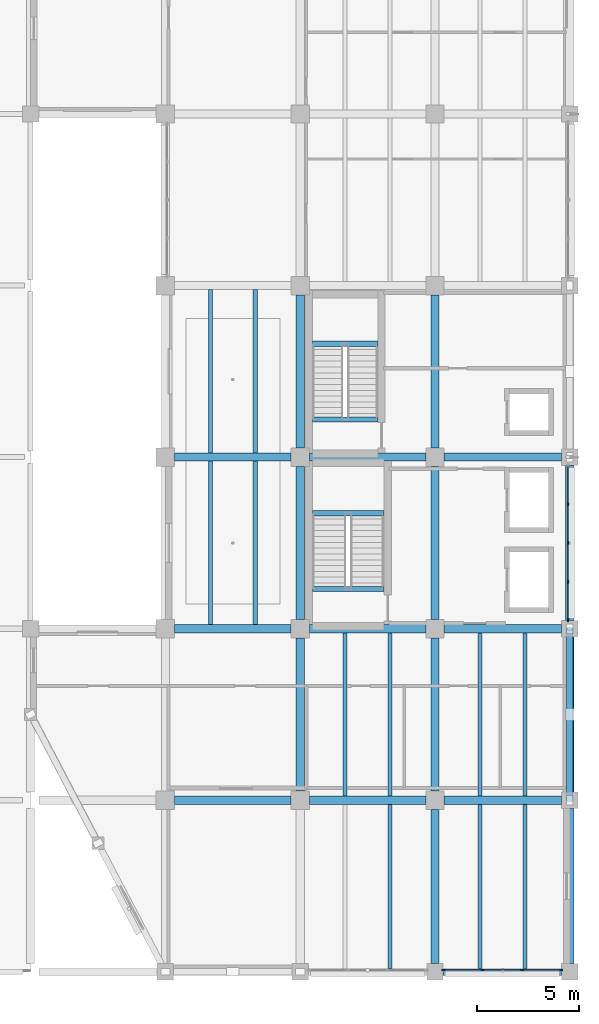
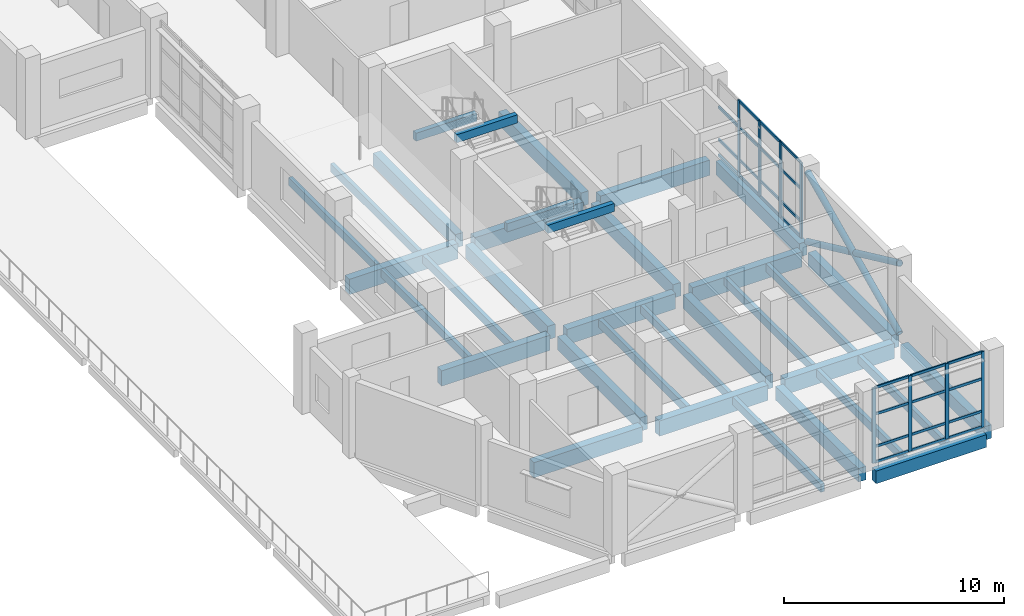
# One storey, part 21 of 83: 38 members, 35 beams, 2 elements without a shape of their own.
"""IFC4 building model written with IfcOpenShell, lengths in metres."""

from ifc_helpers import new_model, si_unit, direction, frame, origin, origin_2d, place, context, subcontext, project, spatial, rectangle, hollow_circle, extrude, material, material_profile, profile_set, type_object, element, aggregate, save


model = new_model("IFC4")

# Units and contexts
model_context = context("Model", 3, precision=1e-05, world=origin(), true_north=direction((0.0, 1.0)))
body_context = subcontext(model_context, "Body", "Model", "MODEL_VIEW")
ifc_project = project(units=[si_unit("LENGTHUNIT", "METRE"), si_unit("AREAUNIT", "SQUARE_METRE"), si_unit("VOLUMEUNIT", "CUBIC_METRE"), si_unit("PLANEANGLEUNIT", "RADIAN"), si_unit("MASSUNIT", "GRAM", prefix="KILO")], contexts=[model_context])

# Site, building, storey
site_placement = place(None, origin())
site = spatial("IfcSite", under=ifc_project, at=site_placement, CompositionType="ELEMENT")
building_placement = place(site_placement, origin())
building = spatial("IfcBuilding", under=site, at=building_placement, Name="Qaldarim Faculty of Natural and Applied Sciences", CompositionType="ELEMENT")
storey_placement = place(building_placement, frame((0.0, 0.0, 5.39990234375)))
storey = spatial("IfcBuildingStorey", under=building, at=storey_placement, Name="L01", CompositionType="ELEMENT", Elevation=5.39990234375)

# Beams
ifc_material_1 = material(Name="Concrete C50/60", Category="concrete")
ifc_material_profile_1 = material_profile(ifc_material_1, rectangle(XDim=0.39990234375, YDim=0.75, at=origin_2d()), Name="RC-B400x750")
ifc_profile_set_1 = profile_set([ifc_material_profile_1], Name="Concrete C50/60")
beam_type_1 = type_object("IfcBeamType", Name="LabGirder-RC400x750", PredefinedType="BEAM", material=ifc_profile_set_1)
for number, where, z_axis, x_axis, name in (
    (1, (165.0, 8.85009765625, -0.6748046875), (0.0, 1.0, 0.0), (-1.0, 0.0, 0.0), "Beam RC-B400x750 L00 X26/Y02-Y03"),
    (2, (165.0, 17.25, -0.6748046875), (0.0, 1.0, 0.0), (-1.0, 0.0, 0.0), "Beam RC-B400x750 L00 X26/Y03-Y04"),
    (3, (165.0, 25.64990234375, -0.6748046875), (0.0, 1.0, 0.0), (-1.0, 0.0, 0.0), "Beam RC-B400x750 L00 X26/Y04-Y05"),
):
    element("IfcBeam", number, at=place(storey_placement, frame(where, z_axis=z_axis, x_axis=x_axis)), inside=storey, type_object=beam_type_1, Name=name, PredefinedType="BEAM", context=body_context, shape_type="SweptSolid", body=[
        extrude(rectangle(XDim=0.39990234375, YDim=0.75, at=origin_2d()), origin(), (0.0, 0.0, 1.0), 7.5),
    ])
beam_1_placement = place(storey_placement, frame((171.60009765625, 0.39990234375, -0.6748046875), z_axis=(0.0, 1.0, 0.0), x_axis=(-1.0, 0.0, 0.0)))
element("IfcBeam", 4, at=beam_1_placement, inside=storey, type_object=beam_type_1, Name="Beam RC-B400x750 L00 X27/Y01-Y02", PredefinedType="BEAM", context=body_context, shape_type="SweptSolid", body=[
    extrude(rectangle(XDim=0.39990234375, YDim=0.75, at=origin_2d()), origin(), (0.0, 0.0, 1.0), 7.550048828125),
])
for number, where, z_axis, x_axis, name in (
    (5, (171.60009765625, 8.85009765625, -0.6748046875), (0.0, 1.0, 0.0), (-1.0, 0.0, 0.0), "Beam RC-B400x750 L00 X27/Y02-Y03"),
    (6, (171.60009765625, 17.25, -0.6748046875), (0.0, 1.0, 0.0), (-1.0, 0.0, 0.0), "Beam RC-B400x750 L00 X27/Y03-Y04"),
    (7, (171.60009765625, 25.64990234375, -0.6748046875), (0.0, 1.0, 0.0), (-1.0, 0.0, 0.0), "Beam RC-B400x750 L00 X27/Y04-Y05"),
):
    element("IfcBeam", number, at=place(storey_placement, frame(where, z_axis=z_axis, x_axis=x_axis)), inside=storey, type_object=beam_type_1, Name=name, PredefinedType="BEAM", context=body_context, shape_type="SweptSolid", body=[
        extrude(rectangle(XDim=0.39990234375, YDim=0.75, at=origin_2d()), origin(), (0.0, 0.0, 1.0), 7.5),
    ])
beam_2_placement = place(storey_placement, frame((178.199951171875, 0.39990234375, -0.6748046875), z_axis=(0.0, 1.0, 0.0), x_axis=(-1.0, 0.0, 0.0)))
element("IfcBeam", 8, at=beam_2_placement, inside=storey, type_object=beam_type_1, Name="Beam RC-B400x750 L00 X28/Y01-Y02", PredefinedType="BEAM", context=body_context, shape_type="SweptSolid", body=[
    extrude(rectangle(XDim=0.39990234375, YDim=0.75, at=origin_2d()), origin(), (0.0, 0.0, 1.0), 7.60009765625),
])
beam_3_placement = place(storey_placement, frame((178.199951171875, 8.800048828125, -0.6748046875), z_axis=(0.0, 1.0, 0.0), x_axis=(-1.0, 0.0, 0.0)))
element("IfcBeam", 9, at=beam_3_placement, inside=storey, type_object=beam_type_1, Name="Beam RC-B400x750 L00 X28/Y02-Y03", PredefinedType="BEAM", context=body_context, shape_type="SweptSolid", body=[
    extrude(rectangle(XDim=0.39990234375, YDim=0.75, at=origin_2d()), origin(), (0.0, 0.0, 1.0), 7.599853515625),
])
beam_4_placement = place(storey_placement, frame((178.199951171875, 17.199951171875, -0.6748046875), z_axis=(0.0, 1.0, 0.0), x_axis=(-1.0, 0.0, 0.0)))
element("IfcBeam", 10, at=beam_4_placement, inside=storey, type_object=beam_type_1, Name="Beam RC-B400x750 L00 X28/Y03-Y04", PredefinedType="BEAM", context=body_context, shape_type="SweptSolid", body=[
    extrude(rectangle(XDim=0.39990234375, YDim=0.75, at=origin_2d()), origin(), (0.0, 0.0, 1.0), 7.60009765625),
])
ifc_material_2 = material(Name="Concrete C40/50", Category="concrete")
ifc_material_profile_2 = material_profile(ifc_material_2, rectangle(XDim=0.199951171875, YDim=0.449951171875, at=origin_2d()), Name="RC-J200x450")
ifc_profile_set_2 = profile_set([ifc_material_profile_2], Name="Concrete C40/50")
beam_type_2 = type_object("IfcBeamType", Name="LabJoist-RC200x450", PredefinedType="JOIST", material=ifc_profile_set_2)
for number, where, z_axis, x_axis, name in (
    (11, (160.60009765625, 17.0, -0.52490234375), (0.0, 1.0, 0.0), (-1.0, 0.0, 0.0), "Laboratory joist L00 bay X25Y03-1"),
    (12, (162.800048828125, 17.0, -0.52490234375), (0.0, 1.0, 0.0), (-1.0, 0.0, 0.0), "Laboratory joist L00 bay X25Y03-2"),
    (13, (160.60009765625, 25.39990234375, -0.52490234375), (0.0, 1.0, 0.0), (-1.0, 0.0, 0.0), "Laboratory joist L00 bay X25Y04-1"),
    (14, (162.800048828125, 25.39990234375, -0.52490234375), (0.0, 1.0, 0.0), (-1.0, 0.0, 0.0), "Laboratory joist L00 bay X25Y04-2"),
):
    element("IfcBeam", number, at=place(storey_placement, frame(where, z_axis=z_axis, x_axis=x_axis)), inside=storey, type_object=beam_type_2, Name=name, PredefinedType="JOIST", context=body_context, shape_type="SweptSolid", body=[
        extrude(rectangle(XDim=0.199951171875, YDim=0.449951171875, at=origin_2d()), origin(), (0.0, 0.0, 1.0), 8.0),
    ])
beam_5_placement = place(storey_placement, frame((169.39990234375, 0.175048828125, -0.52490234375), z_axis=(0.0, 1.0, 0.0), x_axis=(-1.0, 0.0, 0.0)))
element("IfcBeam", 15, at=beam_5_placement, inside=storey, type_object=beam_type_2, Name="Laboratory joist L00 bay X26Y01-2", PredefinedType="JOIST", context=body_context, shape_type="SweptSolid", body=[
    extrude(rectangle(XDim=0.199951171875, YDim=0.449951171875, at=origin_2d()), origin(), (0.0, 0.0, 1.0), 8.02490234375),
])
for number, where, z_axis, x_axis, name in (
    (16, (167.199951171875, 8.60009765625, -0.52490234375), (0.0, 1.0, 0.0), (-1.0, 0.0, 0.0), "Laboratory joist L00 bay X26Y02-1"),
    (17, (169.39990234375, 8.60009765625, -0.52490234375), (0.0, 1.0, 0.0), (-1.0, 0.0, 0.0), "Laboratory joist L00 bay X26Y02-2"),
):
    element("IfcBeam", number, at=place(storey_placement, frame(where, z_axis=z_axis, x_axis=x_axis)), inside=storey, type_object=beam_type_2, Name=name, PredefinedType="JOIST", context=body_context, shape_type="SweptSolid", body=[
        extrude(rectangle(XDim=0.199951171875, YDim=0.449951171875, at=origin_2d()), origin(), (0.0, 0.0, 1.0), 8.0),
    ])
for number, where, z_axis, x_axis, name in (
    (18, (173.800048828125, 0.175048828125, -0.52490234375), (0.0, 1.0, 0.0), (-1.0, 0.0, 0.0), "Laboratory joist L00 bay X27Y01-1"),
    (19, (176.0, 0.175048828125, -0.52490234375), (0.0, 1.0, 0.0), (-1.0, 0.0, 0.0), "Laboratory joist L00 bay X27Y01-2"),
):
    element("IfcBeam", number, at=place(storey_placement, frame(where, z_axis=z_axis, x_axis=x_axis)), inside=storey, type_object=beam_type_2, Name=name, PredefinedType="JOIST", context=body_context, shape_type="SweptSolid", body=[
        extrude(rectangle(XDim=0.199951171875, YDim=0.449951171875, at=origin_2d()), origin(), (0.0, 0.0, 1.0), 8.02490234375),
    ])
for number, where, z_axis, x_axis, name in (
    (20, (173.800048828125, 8.60009765625, -0.52490234375), (0.0, 1.0, 0.0), (-1.0, 0.0, 0.0), "Laboratory joist L00 bay X27Y02-1"),
    (21, (176.0, 8.60009765625, -0.52490234375), (0.0, 1.0, 0.0), (-1.0, 0.0, 0.0), "Laboratory joist L00 bay X27Y02-2"),
):
    element("IfcBeam", number, at=place(storey_placement, frame(where, z_axis=z_axis, x_axis=x_axis)), inside=storey, type_object=beam_type_2, Name=name, PredefinedType="JOIST", context=body_context, shape_type="SweptSolid", body=[
        extrude(rectangle(XDim=0.199951171875, YDim=0.449951171875, at=origin_2d()), origin(), (0.0, 0.0, 1.0), 8.0),
    ])
ifc_material_profile_3 = material_profile(ifc_material_2, rectangle(XDim=0.25, YDim=0.449951171875, at=origin_2d()), Name="RC-LN250x450")
ifc_profile_set_3 = profile_set([ifc_material_profile_3], Name="Concrete C40/50")
beam_type_3 = type_object("IfcBeamType", Name="LandingSupportBeam-RC250x450", PredefinedType="BEAM", material=ifc_profile_set_3)
for number, where, z_axis, x_axis, name in (
    (22, (165.60009765625, 22.455078125, 1.815185546875), (1.0, 0.0, 0.0), (0.0, 1.0, 0.0), "Stair landing support beam ST-A1 L01"),
    (23, (165.60009765625, 18.75, 3.97509765625), (1.0, 0.0, 0.0), (0.0, 1.0, 0.0), "Stair arrival support beam ST-A1 L01"),
):
    element("IfcBeam", number, at=place(storey_placement, frame(where, z_axis=z_axis, x_axis=x_axis)), inside=storey, type_object=beam_type_3, Name=name, PredefinedType="BEAM", context=body_context, shape_type="SweptSolid", body=[
        extrude(rectangle(XDim=0.25, YDim=0.449951171875, at=origin_2d()), origin(), (0.0, 0.0, 1.0), 3.5),
    ])
for number, where, z_axis, x_axis, name in (
    (24, (165.60009765625, 30.7548828125, 1.815185546875), (1.0, 0.0, 0.0), (0.0, 1.0, 0.0), "Stair landing support beam ST-A2 L01"),
    (25, (165.60009765625, 27.050048828125, 3.97509765625), (1.0, 0.0, 0.0), (0.0, 1.0, 0.0), "Stair arrival support beam ST-A2 L01"),
):
    element("IfcBeam", number, at=place(storey_placement, frame(where, z_axis=z_axis, x_axis=x_axis)), inside=storey, type_object=beam_type_3, Name=name, PredefinedType="BEAM", context=body_context, shape_type="SweptSolid", body=[
        extrude(rectangle(XDim=0.25, YDim=0.449951171875, at=origin_2d()), origin(), (0.0, 0.0, 1.0), 3.199951171875),
    ])

# Members
ifc_material_3 = material(Name="Structural steel S355", Category="steel")
ifc_material_profile_4 = material_profile(ifc_material_3, hollow_circle(Radius=0.161865234375, WallThickness=0.02001953125, at=origin_2d()), Name="CHS 323.9x20.0")
ifc_profile_set_4 = profile_set([ifc_material_profile_4], Name="Structural steel S355")
member_type_1 = type_object("IfcMemberType", Name="LowerWingBrace-CHS323-9x20", PredefinedType="BRACE", material=ifc_profile_set_4)
member_1_placement = place(storey_placement, frame((178.199951171875, 8.39990234375, 0.0), z_axis=(0.0, 0.907005731366, 0.421118277053), x_axis=(-1.0, 0.0, 0.0)))
element("IfcMember", 26, at=member_1_placement, inside=storey, type_object=member_type_1, Name="East diagrid L01 primary brace L", PredefinedType="BRACE", context=body_context, shape_type="SweptSolid", body=[
    extrude(hollow_circle(Radius=0.161865234375, WallThickness=0.02001953125, at=origin_2d()), origin(), (0.0, 0.0, 1.0), 9.261474609375),
])
for number, where, z_axis, x_axis, name in (
    (27, (178.199951171875, 16.800048828125, 0.0), (0.0, -0.907196197698, 0.420707807014), (1.0, 0.0, 0.0), "East diagrid L01 split secondary lower brace R1"),
    (28, (178.199951171875, 12.39990234375, 2.045166015625), (0.0, -0.907196197698, 0.420707807014), (1.0, 0.0, 0.0), "East diagrid L01 split secondary upper brace R2"),
):
    element("IfcMember", number, at=place(storey_placement, frame(where, z_axis=z_axis, x_axis=x_axis)), inside=storey, type_object=member_type_1, Name=name, PredefinedType="BRACE", context=body_context, shape_type="SweptSolid", body=[
        extrude(hollow_circle(Radius=0.161865234375, WallThickness=0.02001953125, at=origin_2d()), origin(), (0.0, 0.0, 1.0), 4.4091796875),
    ])

# Curtain wall, members
ifc_material_4 = material(Name="Anodised aluminium AW-6063", Category="aluminium")
curtain_wall_type = type_object("IfcCurtainWallType", Name="CurtainWallSystem-M1700", PredefinedType="USERDEFINED", material=ifc_material_4)
curtain_wall_1_placement = place(storey_placement, origin())
curtain_wall_1 = element("IfcCurtainWall", 29, at=curtain_wall_1_placement, inside=storey, type_object=curtain_wall_type, Name="Curtain wall CW-L01-S-X27Y01", ObjectType="UNITISED FACADE", PredefinedType="USERDEFINED")
ifc_material_profile_5 = material_profile(ifc_material_4, rectangle(XDim=0.070068359375, YDim=0.179931640625, at=origin_2d()), Name="ALU-M70x180")
ifc_profile_set_5 = profile_set([ifc_material_profile_5], Name="Anodised aluminium AW-6063")
member_type_2 = type_object("IfcMemberType", Name="Mullion-ALU70x180", PredefinedType="MULLION", material=ifc_profile_set_5)
member_2_placement = place(storey_placement, frame((172.030029296875, 0.080078125, 0.0), z_axis=(0.0, 0.0, 1.0), x_axis=(0.0, 1.0, 0.0)))
member_2 = element("IfcMember", 30, at=member_2_placement, type_object=member_type_2, Name="Mullion 1 of CW-L01-S-X27Y01", PredefinedType="MULLION", context=body_context, shape_type="SweptSolid", body=[
    extrude(rectangle(XDim=0.070068359375, YDim=0.179931640625, at=origin_2d()), origin(), (0.0, 0.0, 1.0), 4.2001953125),
])
member_3_placement = place(storey_placement, frame((173.931640625, 0.080078125, 0.0), z_axis=(0.0, 0.0, 1.0), x_axis=(0.0, 1.0, 0.0)))
member_3 = element("IfcMember", 31, at=member_3_placement, type_object=member_type_2, Name="Mullion 2 of CW-L01-S-X27Y01", PredefinedType="MULLION", context=body_context, shape_type="SweptSolid", body=[
    extrude(rectangle(XDim=0.070068359375, YDim=0.179931640625, at=origin_2d()), origin(), (0.0, 0.0, 1.0), 4.2001953125),
])
member_4_placement = place(storey_placement, frame((175.868408203125, 0.080078125, 0.0), z_axis=(0.0, 0.0, 1.0), x_axis=(0.0, 1.0, 0.0)))
member_4 = element("IfcMember", 32, at=member_4_placement, type_object=member_type_2, Name="Mullion 3 of CW-L01-S-X27Y01", PredefinedType="MULLION", context=body_context, shape_type="SweptSolid", body=[
    extrude(rectangle(XDim=0.070068359375, YDim=0.179931640625, at=origin_2d()), origin(), (0.0, 0.0, 1.0), 4.2001953125),
])
member_5_placement = place(storey_placement, frame((177.77001953125, 0.080078125, 0.0), z_axis=(0.0, 0.0, 1.0), x_axis=(0.0, 1.0, 0.0)))
member_5 = element("IfcMember", 33, at=member_5_placement, type_object=member_type_2, Name="Mullion 4 of CW-L01-S-X27Y01", PredefinedType="MULLION", context=body_context, shape_type="SweptSolid", body=[
    extrude(rectangle(XDim=0.070068359375, YDim=0.179931640625, at=origin_2d()), origin(), (0.0, 0.0, 1.0), 4.2001953125),
])

curtain_wall_2_placement = place(storey_placement, origin())
curtain_wall_2 = element("IfcCurtainWall", 34, at=curtain_wall_2_placement, inside=storey, type_object=curtain_wall_type, Name="Curtain wall CW-L01-E-X27Y03", ObjectType="UNITISED FACADE", PredefinedType="USERDEFINED")
member_6_placement = place(storey_placement, frame((178.1201171875, 17.22998046875, 0.0), z_axis=(0.0, 0.0, 1.0), x_axis=(-1.0, 0.0, 0.0)))
member_6 = element("IfcMember", 35, at=member_6_placement, type_object=member_type_2, Name="Mullion 1 of CW-L01-E-X27Y03", PredefinedType="MULLION", context=body_context, shape_type="SweptSolid", body=[
    extrude(rectangle(XDim=0.070068359375, YDim=0.179931640625, at=origin_2d()), origin(), (0.0, 0.0, 1.0), 4.2001953125),
])
member_7_placement = place(storey_placement, frame((178.1201171875, 19.097412109375, 0.0), z_axis=(0.0, 0.0, 1.0), x_axis=(-1.0, 0.0, 0.0)))
member_7 = element("IfcMember", 36, at=member_7_placement, type_object=member_type_2, Name="Mullion 2 of CW-L01-E-X27Y03", PredefinedType="MULLION", context=body_context, shape_type="SweptSolid", body=[
    extrude(rectangle(XDim=0.070068359375, YDim=0.179931640625, at=origin_2d()), origin(), (0.0, 0.0, 1.0), 4.2001953125),
])
member_8_placement = place(storey_placement, frame((178.1201171875, 21.0, 0.0), z_axis=(0.0, 0.0, 1.0), x_axis=(-1.0, 0.0, 0.0)))
member_8 = element("IfcMember", 37, at=member_8_placement, type_object=member_type_2, Name="Mullion 3 of CW-L01-E-X27Y03", PredefinedType="MULLION", context=body_context, shape_type="SweptSolid", body=[
    extrude(rectangle(XDim=0.070068359375, YDim=0.179931640625, at=origin_2d()), origin(), (0.0, 0.0, 1.0), 4.2001953125),
])
member_9_placement = place(storey_placement, frame((178.1201171875, 22.902587890625, 0.0), z_axis=(0.0, 0.0, 1.0), x_axis=(-1.0, 0.0, 0.0)))
member_9 = element("IfcMember", 38, at=member_9_placement, type_object=member_type_2, Name="Mullion 4 of CW-L01-E-X27Y03", PredefinedType="MULLION", context=body_context, shape_type="SweptSolid", body=[
    extrude(rectangle(XDim=0.070068359375, YDim=0.179931640625, at=origin_2d()), origin(), (0.0, 0.0, 1.0), 4.2001953125),
])

# Beams
ifc_material_profile_6 = material_profile(ifc_material_1, rectangle(XDim=0.39990234375, YDim=0.85009765625, at=origin_2d()), Name="RC-B400x850")
ifc_profile_set_6 = profile_set([ifc_material_profile_6], Name="Concrete C50/60")
beam_type_4 = type_object("IfcBeamType", Name="PodiumGirder-RC400x850", PredefinedType="BEAM", material=ifc_profile_set_6)
for number, where, z_axis, x_axis, name in (
    (39, (158.85009765625, 8.39990234375, -0.724853515625), (1.0, 0.0, 0.0), (0.0, 1.0, 0.0), "Beam RC-B400x850 L00 X25-X26/Y02"),
    (40, (165.449951171875, 8.39990234375, -0.724853515625), (1.0, 0.0, 0.0), (0.0, 1.0, 0.0), "Beam RC-B400x850 L00 X26-X27/Y02"),
):
    element("IfcBeam", number, at=place(storey_placement, frame(where, z_axis=z_axis, x_axis=x_axis)), inside=storey, type_object=beam_type_4, Name=name, PredefinedType="BEAM", context=body_context, shape_type="SweptSolid", body=[
        extrude(rectangle(XDim=0.39990234375, YDim=0.85009765625, at=origin_2d()), origin(), (0.0, 0.0, 1.0), 5.699951171875),
    ])
beam_6_placement = place(storey_placement, frame((172.050048828125, 8.39990234375, -0.724853515625), z_axis=(1.0, 0.0, 0.0), x_axis=(0.0, 1.0, 0.0)))
element("IfcBeam", 41, at=beam_6_placement, inside=storey, type_object=beam_type_4, Name="Beam RC-B400x850 L00 X27-X28/Y02", PredefinedType="BEAM", context=body_context, shape_type="SweptSolid", body=[
    extrude(rectangle(XDim=0.39990234375, YDim=0.85009765625, at=origin_2d()), origin(), (0.0, 0.0, 1.0), 5.75),
])
for number, where, z_axis, x_axis, name in (
    (42, (158.85009765625, 16.800048828125, -0.724853515625), (1.0, 0.0, 0.0), (0.0, 1.0, 0.0), "Beam RC-B400x850 L00 X25-X26/Y03"),
    (43, (165.449951171875, 16.800048828125, -0.724853515625), (1.0, 0.0, 0.0), (0.0, 1.0, 0.0), "Beam RC-B400x850 L00 X26-X27/Y03"),
):
    element("IfcBeam", number, at=place(storey_placement, frame(where, z_axis=z_axis, x_axis=x_axis)), inside=storey, type_object=beam_type_4, Name=name, PredefinedType="BEAM", context=body_context, shape_type="SweptSolid", body=[
        extrude(rectangle(XDim=0.39990234375, YDim=0.85009765625, at=origin_2d()), origin(), (0.0, 0.0, 1.0), 5.699951171875),
    ])
beam_7_placement = place(storey_placement, frame((172.050048828125, 16.800048828125, -0.724853515625), z_axis=(1.0, 0.0, 0.0), x_axis=(0.0, 1.0, 0.0)))
element("IfcBeam", 44, at=beam_7_placement, inside=storey, type_object=beam_type_4, Name="Beam RC-B400x850 L00 X27-X28/Y03", PredefinedType="BEAM", context=body_context, shape_type="SweptSolid", body=[
    extrude(rectangle(XDim=0.39990234375, YDim=0.85009765625, at=origin_2d()), origin(), (0.0, 0.0, 1.0), 5.75),
])
for number, where, z_axis, x_axis, name in (
    (45, (158.85009765625, 25.199951171875, -0.724853515625), (1.0, 0.0, 0.0), (0.0, 1.0, 0.0), "Beam RC-B400x850 L00 X25-X26/Y04"),
    (46, (165.449951171875, 25.199951171875, -0.724853515625), (1.0, 0.0, 0.0), (0.0, 1.0, 0.0), "Beam RC-B400x850 L00 X26-X27/Y04"),
):
    element("IfcBeam", number, at=place(storey_placement, frame(where, z_axis=z_axis, x_axis=x_axis)), inside=storey, type_object=beam_type_4, Name=name, PredefinedType="BEAM", context=body_context, shape_type="SweptSolid", body=[
        extrude(rectangle(XDim=0.39990234375, YDim=0.85009765625, at=origin_2d()), origin(), (0.0, 0.0, 1.0), 5.699951171875),
    ])
beam_8_placement = place(storey_placement, frame((172.050048828125, 25.199951171875, -0.724853515625), z_axis=(1.0, 0.0, 0.0), x_axis=(0.0, 1.0, 0.0)))
element("IfcBeam", 47, at=beam_8_placement, inside=storey, type_object=beam_type_4, Name="Beam RC-B400x850 L00 X27-X28/Y04", PredefinedType="BEAM", context=body_context, shape_type="SweptSolid", body=[
    extrude(rectangle(XDim=0.39990234375, YDim=0.85009765625, at=origin_2d()), origin(), (0.0, 0.0, 1.0), 5.75),
])
ifc_material_profile_7 = material_profile(ifc_material_2, rectangle(XDim=0.35009765625, YDim=0.699951171875, at=origin_2d()), Name="RC-B350x700")
ifc_profile_set_7 = profile_set([ifc_material_profile_7], Name="Concrete C40/50")
beam_type_5 = type_object("IfcBeamType", Name="PrimaryGirder-RC350x700", PredefinedType="BEAM", material=ifc_profile_set_7)
beam_9_placement = place(storey_placement, frame((172.0, 0.0, -0.64990234375), z_axis=(1.0, 0.0, 0.0), x_axis=(0.0, 1.0, 0.0)))
element("IfcBeam", 48, at=beam_9_placement, inside=storey, type_object=beam_type_5, Name="Beam RC-B350x700 L00 X27-X28/Y01", PredefinedType="BEAM", context=body_context, shape_type="SweptSolid", body=[
    extrude(rectangle(XDim=0.35009765625, YDim=0.699951171875, at=origin_2d()), origin(), (0.0, 0.0, 1.0), 5.800048828125),
])

# Member
ifc_material_profile_8 = material_profile(ifc_material_4, rectangle(XDim=0.070068359375, YDim=0.139892578125, at=origin_2d()), Name="ALU-T70x140")
ifc_profile_set_8 = profile_set([ifc_material_profile_8], Name="Anodised aluminium AW-6063")
member_type_3 = type_object("IfcMemberType", Name="Transom-ALU70x140", PredefinedType="USERDEFINED", material=ifc_profile_set_8)
member_10_placement = place(storey_placement, frame((172.06494140625, 0.080078125, 0.03515625), z_axis=(1.0, 0.0, 0.0), x_axis=(0.0, 1.0, 0.0)))
member_10 = element("IfcMember", 49, at=member_10_placement, type_object=member_type_3, Name="Transom 1-1 of CW-L01-S-X27Y01", ObjectType="TRANSOM", PredefinedType="USERDEFINED", context=body_context, shape_type="SweptSolid", body=[
    extrude(rectangle(XDim=0.070068359375, YDim=0.139892578125, at=origin_2d()), origin(), (0.0, 0.0, 1.0), 1.831787109375),
])

member_11_placement = place(storey_placement, frame((172.06494140625, 0.080078125, 0.900146484375), z_axis=(1.0, 0.0, 0.0), x_axis=(0.0, 1.0, 0.0)))
member_11 = element("IfcMember", 50, at=member_11_placement, type_object=member_type_3, Name="Transom 1-2 of CW-L01-S-X27Y01", ObjectType="TRANSOM", PredefinedType="USERDEFINED", context=body_context, shape_type="SweptSolid", body=[
    extrude(rectangle(XDim=0.070068359375, YDim=0.139892578125, at=origin_2d()), origin(), (0.0, 0.0, 1.0), 1.831787109375),
])

member_12_placement = place(storey_placement, frame((172.06494140625, 0.080078125, 2.7001953125), z_axis=(1.0, 0.0, 0.0), x_axis=(0.0, 1.0, 0.0)))
member_12 = element("IfcMember", 51, at=member_12_placement, type_object=member_type_3, Name="Transom 1-3 of CW-L01-S-X27Y01", ObjectType="TRANSOM", PredefinedType="USERDEFINED", context=body_context, shape_type="SweptSolid", body=[
    extrude(rectangle(XDim=0.070068359375, YDim=0.139892578125, at=origin_2d()), origin(), (0.0, 0.0, 1.0), 1.831787109375),
])

member_13_placement = place(storey_placement, frame((172.06494140625, 0.080078125, 4.1650390625), z_axis=(1.0, 0.0, 0.0), x_axis=(0.0, 1.0, 0.0)))
member_13 = element("IfcMember", 52, at=member_13_placement, type_object=member_type_3, Name="Transom 1-4 of CW-L01-S-X27Y01", ObjectType="TRANSOM", PredefinedType="USERDEFINED", context=body_context, shape_type="SweptSolid", body=[
    extrude(rectangle(XDim=0.070068359375, YDim=0.139892578125, at=origin_2d()), origin(), (0.0, 0.0, 1.0), 1.831787109375),
])

member_14_placement = place(storey_placement, frame((173.966796875, 0.080078125, 0.03515625), z_axis=(1.0, 0.0, 0.0), x_axis=(0.0, 1.0, 0.0)))
member_14 = element("IfcMember", 53, at=member_14_placement, type_object=member_type_3, Name="Transom 2-1 of CW-L01-S-X27Y01", ObjectType="TRANSOM", PredefinedType="USERDEFINED", context=body_context, shape_type="SweptSolid", body=[
    extrude(rectangle(XDim=0.070068359375, YDim=0.139892578125, at=origin_2d()), origin(), (0.0, 0.0, 1.0), 1.866455078125),
])

member_15_placement = place(storey_placement, frame((173.966796875, 0.080078125, 0.900146484375), z_axis=(1.0, 0.0, 0.0), x_axis=(0.0, 1.0, 0.0)))
member_15 = element("IfcMember", 54, at=member_15_placement, type_object=member_type_3, Name="Transom 2-2 of CW-L01-S-X27Y01", ObjectType="TRANSOM", PredefinedType="USERDEFINED", context=body_context, shape_type="SweptSolid", body=[
    extrude(rectangle(XDim=0.070068359375, YDim=0.139892578125, at=origin_2d()), origin(), (0.0, 0.0, 1.0), 1.866455078125),
])

member_16_placement = place(storey_placement, frame((173.966796875, 0.080078125, 2.7001953125), z_axis=(1.0, 0.0, 0.0), x_axis=(0.0, 1.0, 0.0)))
member_16 = element("IfcMember", 55, at=member_16_placement, type_object=member_type_3, Name="Transom 2-3 of CW-L01-S-X27Y01", ObjectType="TRANSOM", PredefinedType="USERDEFINED", context=body_context, shape_type="SweptSolid", body=[
    extrude(rectangle(XDim=0.070068359375, YDim=0.139892578125, at=origin_2d()), origin(), (0.0, 0.0, 1.0), 1.866455078125),
])

member_17_placement = place(storey_placement, frame((173.966796875, 0.080078125, 4.1650390625), z_axis=(1.0, 0.0, 0.0), x_axis=(0.0, 1.0, 0.0)))
member_17 = element("IfcMember", 56, at=member_17_placement, type_object=member_type_3, Name="Transom 2-4 of CW-L01-S-X27Y01", ObjectType="TRANSOM", PredefinedType="USERDEFINED", context=body_context, shape_type="SweptSolid", body=[
    extrude(rectangle(XDim=0.070068359375, YDim=0.139892578125, at=origin_2d()), origin(), (0.0, 0.0, 1.0), 1.866455078125),
])

member_18_placement = place(storey_placement, frame((175.9033203125, 0.080078125, 0.03515625), z_axis=(1.0, 0.0, 0.0), x_axis=(0.0, 1.0, 0.0)))
member_18 = element("IfcMember", 57, at=member_18_placement, type_object=member_type_3, Name="Transom 3-1 of CW-L01-S-X27Y01", ObjectType="TRANSOM", PredefinedType="USERDEFINED", context=body_context, shape_type="SweptSolid", body=[
    extrude(rectangle(XDim=0.070068359375, YDim=0.139892578125, at=origin_2d()), origin(), (0.0, 0.0, 1.0), 1.831787109375),
])

member_19_placement = place(storey_placement, frame((175.9033203125, 0.080078125, 0.900146484375), z_axis=(1.0, 0.0, 0.0), x_axis=(0.0, 1.0, 0.0)))
member_19 = element("IfcMember", 58, at=member_19_placement, type_object=member_type_3, Name="Transom 3-2 of CW-L01-S-X27Y01", ObjectType="TRANSOM", PredefinedType="USERDEFINED", context=body_context, shape_type="SweptSolid", body=[
    extrude(rectangle(XDim=0.070068359375, YDim=0.139892578125, at=origin_2d()), origin(), (0.0, 0.0, 1.0), 1.831787109375),
])

member_20_placement = place(storey_placement, frame((175.9033203125, 0.080078125, 2.7001953125), z_axis=(1.0, 0.0, 0.0), x_axis=(0.0, 1.0, 0.0)))
member_20 = element("IfcMember", 59, at=member_20_placement, type_object=member_type_3, Name="Transom 3-3 of CW-L01-S-X27Y01", ObjectType="TRANSOM", PredefinedType="USERDEFINED", context=body_context, shape_type="SweptSolid", body=[
    extrude(rectangle(XDim=0.070068359375, YDim=0.139892578125, at=origin_2d()), origin(), (0.0, 0.0, 1.0), 1.831787109375),
])

member_21_placement = place(storey_placement, frame((175.9033203125, 0.080078125, 4.1650390625), z_axis=(1.0, 0.0, 0.0), x_axis=(0.0, 1.0, 0.0)))
member_21 = element("IfcMember", 60, at=member_21_placement, type_object=member_type_3, Name="Transom 3-4 of CW-L01-S-X27Y01", ObjectType="TRANSOM", PredefinedType="USERDEFINED", context=body_context, shape_type="SweptSolid", body=[
    extrude(rectangle(XDim=0.070068359375, YDim=0.139892578125, at=origin_2d()), origin(), (0.0, 0.0, 1.0), 1.831787109375),
])

aggregate(curtain_wall_1, [member_2, member_3, member_4, member_5, member_10, member_11, member_12, member_13, member_14, member_15, member_16, member_17, member_18, member_19, member_20, member_21])

member_22_placement = place(storey_placement, frame((178.1201171875, 17.264892578125, 0.03515625), z_axis=(0.0, 1.0, 0.0), x_axis=(-1.0, 0.0, 0.0)))
member_22 = element("IfcMember", 61, at=member_22_placement, type_object=member_type_3, Name="Transom 1-1 of CW-L01-E-X27Y03", ObjectType="TRANSOM", PredefinedType="USERDEFINED", context=body_context, shape_type="SweptSolid", body=[
    extrude(rectangle(XDim=0.070068359375, YDim=0.139892578125, at=origin_2d()), origin(), (0.0, 0.0, 1.0), 1.797607421875),
])

member_23_placement = place(storey_placement, frame((178.1201171875, 17.264892578125, 0.900146484375), z_axis=(0.0, 1.0, 0.0), x_axis=(-1.0, 0.0, 0.0)))
member_23 = element("IfcMember", 62, at=member_23_placement, type_object=member_type_3, Name="Transom 1-2 of CW-L01-E-X27Y03", ObjectType="TRANSOM", PredefinedType="USERDEFINED", context=body_context, shape_type="SweptSolid", body=[
    extrude(rectangle(XDim=0.070068359375, YDim=0.139892578125, at=origin_2d()), origin(), (0.0, 0.0, 1.0), 1.797607421875),
])

member_24_placement = place(storey_placement, frame((178.1201171875, 17.264892578125, 2.7001953125), z_axis=(0.0, 1.0, 0.0), x_axis=(-1.0, 0.0, 0.0)))
member_24 = element("IfcMember", 63, at=member_24_placement, type_object=member_type_3, Name="Transom 1-3 of CW-L01-E-X27Y03", ObjectType="TRANSOM", PredefinedType="USERDEFINED", context=body_context, shape_type="SweptSolid", body=[
    extrude(rectangle(XDim=0.070068359375, YDim=0.139892578125, at=origin_2d()), origin(), (0.0, 0.0, 1.0), 1.797607421875),
])

member_25_placement = place(storey_placement, frame((178.1201171875, 17.264892578125, 4.1650390625), z_axis=(0.0, 1.0, 0.0), x_axis=(-1.0, 0.0, 0.0)))
member_25 = element("IfcMember", 64, at=member_25_placement, type_object=member_type_3, Name="Transom 1-4 of CW-L01-E-X27Y03", ObjectType="TRANSOM", PredefinedType="USERDEFINED", context=body_context, shape_type="SweptSolid", body=[
    extrude(rectangle(XDim=0.070068359375, YDim=0.139892578125, at=origin_2d()), origin(), (0.0, 0.0, 1.0), 1.797607421875),
])

member_26_placement = place(storey_placement, frame((178.1201171875, 19.132568359375, 0.03515625), z_axis=(0.0, 1.0, 0.0), x_axis=(-1.0, 0.0, 0.0)))
member_26 = element("IfcMember", 65, at=member_26_placement, type_object=member_type_3, Name="Transom 2-1 of CW-L01-E-X27Y03", ObjectType="TRANSOM", PredefinedType="USERDEFINED", context=body_context, shape_type="SweptSolid", body=[
    extrude(rectangle(XDim=0.070068359375, YDim=0.139892578125, at=origin_2d()), origin(), (0.0, 0.0, 1.0), 1.83251953125),
])

member_27_placement = place(storey_placement, frame((178.1201171875, 19.132568359375, 0.900146484375), z_axis=(0.0, 1.0, 0.0), x_axis=(-1.0, 0.0, 0.0)))
member_27 = element("IfcMember", 66, at=member_27_placement, type_object=member_type_3, Name="Transom 2-2 of CW-L01-E-X27Y03", ObjectType="TRANSOM", PredefinedType="USERDEFINED", context=body_context, shape_type="SweptSolid", body=[
    extrude(rectangle(XDim=0.070068359375, YDim=0.139892578125, at=origin_2d()), origin(), (0.0, 0.0, 1.0), 1.83251953125),
])

member_28_placement = place(storey_placement, frame((178.1201171875, 19.132568359375, 2.7001953125), z_axis=(0.0, 1.0, 0.0), x_axis=(-1.0, 0.0, 0.0)))
member_28 = element("IfcMember", 67, at=member_28_placement, type_object=member_type_3, Name="Transom 2-3 of CW-L01-E-X27Y03", ObjectType="TRANSOM", PredefinedType="USERDEFINED", context=body_context, shape_type="SweptSolid", body=[
    extrude(rectangle(XDim=0.070068359375, YDim=0.139892578125, at=origin_2d()), origin(), (0.0, 0.0, 1.0), 1.83251953125),
])

member_29_placement = place(storey_placement, frame((178.1201171875, 19.132568359375, 4.1650390625), z_axis=(0.0, 1.0, 0.0), x_axis=(-1.0, 0.0, 0.0)))
member_29 = element("IfcMember", 68, at=member_29_placement, type_object=member_type_3, Name="Transom 2-4 of CW-L01-E-X27Y03", ObjectType="TRANSOM", PredefinedType="USERDEFINED", context=body_context, shape_type="SweptSolid", body=[
    extrude(rectangle(XDim=0.070068359375, YDim=0.139892578125, at=origin_2d()), origin(), (0.0, 0.0, 1.0), 1.83251953125),
])

member_30_placement = place(storey_placement, frame((178.1201171875, 21.034912109375, 0.03515625), z_axis=(0.0, 1.0, 0.0), x_axis=(-1.0, 0.0, 0.0)))
member_30 = element("IfcMember", 69, at=member_30_placement, type_object=member_type_3, Name="Transom 3-1 of CW-L01-E-X27Y03", ObjectType="TRANSOM", PredefinedType="USERDEFINED", context=body_context, shape_type="SweptSolid", body=[
    extrude(rectangle(XDim=0.070068359375, YDim=0.139892578125, at=origin_2d()), origin(), (0.0, 0.0, 1.0), 1.83251953125),
])

member_31_placement = place(storey_placement, frame((178.1201171875, 21.034912109375, 0.900146484375), z_axis=(0.0, 1.0, 0.0), x_axis=(-1.0, 0.0, 0.0)))
member_31 = element("IfcMember", 70, at=member_31_placement, type_object=member_type_3, Name="Transom 3-2 of CW-L01-E-X27Y03", ObjectType="TRANSOM", PredefinedType="USERDEFINED", context=body_context, shape_type="SweptSolid", body=[
    extrude(rectangle(XDim=0.070068359375, YDim=0.139892578125, at=origin_2d()), origin(), (0.0, 0.0, 1.0), 1.83251953125),
])

member_32_placement = place(storey_placement, frame((178.1201171875, 21.034912109375, 2.7001953125), z_axis=(0.0, 1.0, 0.0), x_axis=(-1.0, 0.0, 0.0)))
member_32 = element("IfcMember", 71, at=member_32_placement, type_object=member_type_3, Name="Transom 3-3 of CW-L01-E-X27Y03", ObjectType="TRANSOM", PredefinedType="USERDEFINED", context=body_context, shape_type="SweptSolid", body=[
    extrude(rectangle(XDim=0.070068359375, YDim=0.139892578125, at=origin_2d()), origin(), (0.0, 0.0, 1.0), 1.83251953125),
])

member_33_placement = place(storey_placement, frame((178.1201171875, 21.034912109375, 4.1650390625), z_axis=(0.0, 1.0, 0.0), x_axis=(-1.0, 0.0, 0.0)))
member_33 = element("IfcMember", 72, at=member_33_placement, type_object=member_type_3, Name="Transom 3-4 of CW-L01-E-X27Y03", ObjectType="TRANSOM", PredefinedType="USERDEFINED", context=body_context, shape_type="SweptSolid", body=[
    extrude(rectangle(XDim=0.070068359375, YDim=0.139892578125, at=origin_2d()), origin(), (0.0, 0.0, 1.0), 1.83251953125),
])

member_34_placement = place(storey_placement, frame((178.1201171875, 22.9375, 0.03515625), z_axis=(0.0, 1.0, 0.0), x_axis=(-1.0, 0.0, 0.0)))
member_34 = element("IfcMember", 73, at=member_34_placement, type_object=member_type_3, Name="Transom 4-1 of CW-L01-E-X27Y03", ObjectType="TRANSOM", PredefinedType="USERDEFINED", context=body_context, shape_type="SweptSolid", body=[
    extrude(rectangle(XDim=0.070068359375, YDim=0.139892578125, at=origin_2d()), origin(), (0.0, 0.0, 1.0), 1.797607421875),
])

member_35_placement = place(storey_placement, frame((178.1201171875, 22.9375, 0.900146484375), z_axis=(0.0, 1.0, 0.0), x_axis=(-1.0, 0.0, 0.0)))
member_35 = element("IfcMember", 74, at=member_35_placement, type_object=member_type_3, Name="Transom 4-2 of CW-L01-E-X27Y03", ObjectType="TRANSOM", PredefinedType="USERDEFINED", context=body_context, shape_type="SweptSolid", body=[
    extrude(rectangle(XDim=0.070068359375, YDim=0.139892578125, at=origin_2d()), origin(), (0.0, 0.0, 1.0), 1.797607421875),
])

member_36_placement = place(storey_placement, frame((178.1201171875, 22.9375, 2.7001953125), z_axis=(0.0, 1.0, 0.0), x_axis=(-1.0, 0.0, 0.0)))
member_36 = element("IfcMember", 75, at=member_36_placement, type_object=member_type_3, Name="Transom 4-3 of CW-L01-E-X27Y03", ObjectType="TRANSOM", PredefinedType="USERDEFINED", context=body_context, shape_type="SweptSolid", body=[
    extrude(rectangle(XDim=0.070068359375, YDim=0.139892578125, at=origin_2d()), origin(), (0.0, 0.0, 1.0), 1.797607421875),
])

aggregate(curtain_wall_2, [member_6, member_7, member_8, member_9, member_22, member_23, member_24, member_25, member_26, member_27, member_28, member_29, member_30, member_31, member_32, member_33, member_34, member_35, member_36])

save(model, "model.ifc")
